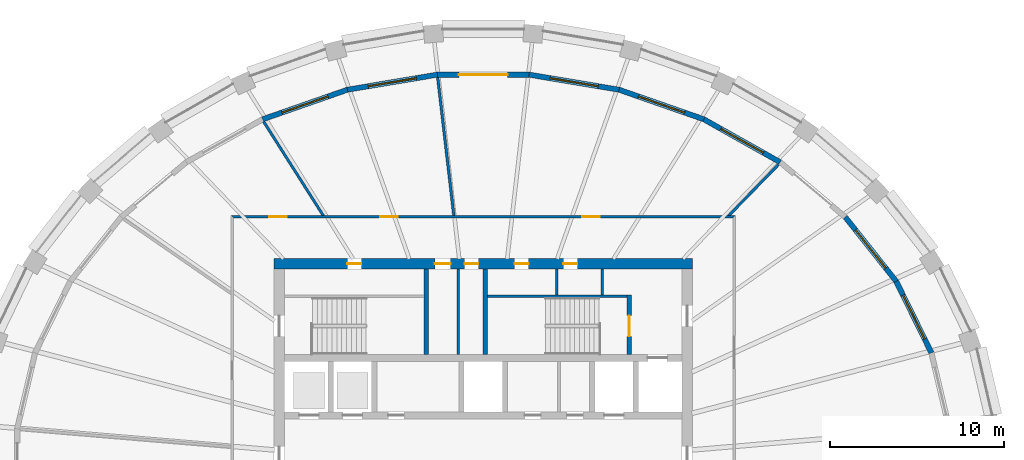
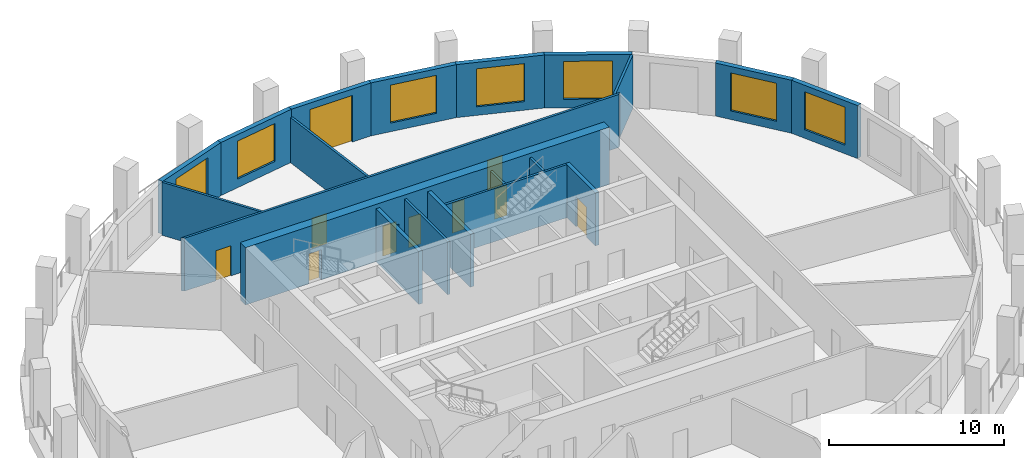
# One storey, part 6 of 10: 20 walls, 10 doors, 7 windows, 17 openings.
"""IFC4 building model written with IfcOpenShell, lengths in metres."""

from ifc_helpers import new_model, si_unit, direction, frame, frame_2d, origin, place, context, subcontext, project, spatial, polyline, rectangle, outline, extrude, material, layer, layer_set, type_object, element, fill, save


model = new_model("IFC4")

# Units and contexts
model_context = context("Model", 3, precision=1e-05, world=origin(), true_north=direction((0.0, 1.0)))
body_context = subcontext(model_context, "Body", "Model", "MODEL_VIEW")
ifc_project = project(units=[si_unit("LENGTHUNIT", "METRE"), si_unit("AREAUNIT", "SQUARE_METRE"), si_unit("VOLUMEUNIT", "CUBIC_METRE"), si_unit("PLANEANGLEUNIT", "RADIAN"), si_unit("MASSUNIT", "GRAM", prefix="KILO")], contexts=[model_context])

# Site, building, storey
site_placement = place(None, origin())
site = spatial("IfcSite", under=ifc_project, at=site_placement, CompositionType="ELEMENT")
building_placement = place(site_placement, origin())
building = spatial("IfcBuilding", under=site, at=building_placement, Name="Halqa Exchange Tower", CompositionType="ELEMENT")
storey_placement = place(building_placement, frame((0.0, 0.0, 288.300048828125)))
storey = spatial("IfcBuildingStorey", under=building, at=storey_placement, Name="L67", CompositionType="ELEMENT", Elevation=288.300048828125)

# Wall, openings, doors
ifc_material_1 = material(Name="Fire-rated gypsum board")
ifc_layer_1 = layer(ifc_material_1, 0.14990234375)
ifc_layer_set_1 = layer_set([ifc_layer_1], Name="Fire-rated gypsum board")
wall_type_1 = type_object("IfcWallType", Name="Fire partition EI 60 150", PredefinedType="PARTITIONING", material=ifc_layer_set_1)
wall_1_placement = place(storey_placement, frame((-14.47509765625, 14.39990234375, 0.0), z_axis=(0.0, 0.0, 1.0), x_axis=(1.0, 0.0, 0.0)))
wall_1 = element("IfcWall", 1, at=wall_1_placement, inside=storey, type_object=wall_type_1, Name="L67-PWL-006", PredefinedType="PARTITIONING", context=body_context, shape_type="SweptSolid", body=[
    extrude(outline(polyline([(0.150146484375, -0.074951171875), (2.06005859375, -0.074951171875), (3.97021484375, -0.074951171875), (5.880126953125, -0.074951171875), (7.7900390625, -0.074951171875), (9.7001953125, -0.074951171875), (11.610107421875, -0.074951171875), (13.52001953125, -0.074951171875), (15.43017578125, -0.074951171875), (17.340087890625, -0.074951171875), (19.25, -0.074951171875), (21.16015625, -0.074951171875), (23.070068359375, -0.074951171875), (24.97998046875, -0.074951171875), (26.89013671875, -0.074951171875), (28.800048828125, -0.074951171875), (28.949951171875, 0.074951171875), (27.02001953125, 0.074951171875), (25.090087890625, 0.074951171875), (23.159912109375, 0.074951171875), (21.22998046875, 0.074951171875), (19.300048828125, 0.074951171875), (17.3701171875, 0.074951171875), (15.440185546875, 0.074951171875), (13.510009765625, 0.074951171875), (11.580078125, 0.074951171875), (9.650146484375, 0.074951171875), (7.72021484375, 0.074951171875), (5.790283203125, 0.074951171875), (3.860107421875, 0.074951171875), (1.93017578125, 0.074951171875), (0.000244140625, 0.074951171875), (0.150146484375, -0.074951171875)])), origin(), (0.0, 0.0, 1.0), 3.699951171875),
])
opening_1_placement = place(wall_1_placement, frame((20.14990234375, 0.0, 0.0)))
opening_1 = element("IfcOpeningElement", 2, at=opening_1_placement, cuts=wall_1, Name="Opening 20-04", PredefinedType="OPENING", context=body_context, shape_type="SweptSolid", body=[
    extrude(rectangle(XDim=1.0, YDim=2.10009765625, at=frame_2d((0.5, 1.050048828125))), frame((0.0, 0.0869140625, 0.0), z_axis=(0.0, -1.0, 0.0), x_axis=(1.0, 0.0, 0.0)), (0.0, 0.0, 1.0), 0.173828125),
])
opening_2_placement = place(wall_1_placement, frame((8.56494140625, 0.0, 0.0)))
opening_2 = element("IfcOpeningElement", 3, at=opening_2_placement, cuts=wall_1, Name="Opening 20-05", PredefinedType="OPENING", context=body_context, shape_type="SweptSolid", body=[
    extrude(rectangle(XDim=1.0, YDim=2.10009765625, at=frame_2d((0.5, 1.050048828125))), frame((0.0, 0.0869140625, 0.0), z_axis=(0.0, -1.0, 0.0), x_axis=(1.0, 0.0, 0.0)), (0.0, 0.0, 1.0), 0.173828125),
])
opening_3_placement = place(wall_1_placement, frame((2.205078125, 0.0, 0.0)))
opening_3 = element("IfcOpeningElement", 4, at=opening_3_placement, cuts=wall_1, Name="Opening 20-06", PredefinedType="OPENING", context=body_context, shape_type="SweptSolid", body=[
    extrude(rectangle(XDim=1.0, YDim=2.10009765625, at=frame_2d((0.5, 1.050048828125))), frame((0.0, 0.0869140625, 0.0), z_axis=(0.0, -1.0, 0.0), x_axis=(1.0, 0.0, 0.0)), (0.0, 0.0, 1.0), 0.173828125),
])
ifc_material_2 = material(Name="Steel fire door leaf", Category="steel")
door_type_1 = type_object("IfcDoorType", Name="Fire door FD30S 1000 x 2100", OperationType="SINGLE_SWING_LEFT", PredefinedType="DOOR", material=ifc_material_2)
door_1_placement = place(opening_1_placement, origin())
door_1 = element("IfcDoor", 5, at=door_1_placement, inside=storey, type_object=door_type_1, Name="L67-IDR-004", OperationType="SINGLE_SWING_LEFT", OverallHeight=2.10009765625, OverallWidth=1.0, PredefinedType="DOOR", context=body_context, shape_type="SweptSolid", body=[
    extrude(rectangle(XDim=1.0, YDim=2.10009765625, at=frame_2d((0.5, 1.050048828125))), frame((0.0, 0.02490234375, 0.0), z_axis=(0.0, -1.0, 0.0), x_axis=(1.0, 0.0, 0.0)), (0.0, 0.0, 1.0), 0.050048828125),
])
fill(opening_1, door_1)
door_2_placement = place(opening_2_placement, origin())
door_2 = element("IfcDoor", 6, at=door_2_placement, inside=storey, type_object=door_type_1, Name="L67-IDR-005", OperationType="SINGLE_SWING_LEFT", OverallHeight=2.10009765625, OverallWidth=1.0, PredefinedType="DOOR", context=body_context, shape_type="SweptSolid", body=[
    extrude(rectangle(XDim=1.0, YDim=2.10009765625, at=frame_2d((0.5, 1.050048828125))), frame((0.0, 0.02490234375, 0.0), z_axis=(0.0, -1.0, 0.0), x_axis=(1.0, 0.0, 0.0)), (0.0, 0.0, 1.0), 0.050048828125),
])
fill(opening_2, door_2)
door_3_placement = place(opening_3_placement, origin())
door_3 = element("IfcDoor", 7, at=door_3_placement, inside=storey, type_object=door_type_1, Name="L67-IDR-006", OperationType="SINGLE_SWING_LEFT", OverallHeight=2.10009765625, OverallWidth=1.0, PredefinedType="DOOR", context=body_context, shape_type="SweptSolid", body=[
    extrude(rectangle(XDim=1.0, YDim=2.10009765625, at=frame_2d((0.5, 1.050048828125))), frame((0.0, 0.02490234375, 0.0), z_axis=(0.0, -1.0, 0.0), x_axis=(1.0, 0.0, 0.0)), (0.0, 0.0, 1.0), 0.050048828125),
])
fill(opening_3, door_3)

# Walls
wall_2_placement = place(storey_placement, frame((-9.162109375, 14.43505859375, 0.0), z_axis=(0.0, 0.0, 1.0), x_axis=(-0.536136809147, 0.844131104674, 0.0)))
element("IfcWall", 8, at=wall_2_placement, inside=storey, type_object=wall_type_1, Name="L67-PWL-007", PredefinedType="PARTITIONING", context=body_context, shape_type="SweptSolid", body=[
    extrude(outline(polyline([(0.0, -0.074951171875), (1.59912109375, -0.074951171875), (3.198486328125, -0.074951171875), (4.797607421875, -0.074951171875), (6.396728515625, -0.074951171875), (6.413818359375, -0.00244140625), (6.41748046875, 0.06640625), (6.41748046875, 0.074951171875), (4.8369140625, 0.074951171875), (3.256103515625, 0.074951171875), (1.675537109375, 0.074951171875), (0.094970703125, 0.074951171875), (0.0, -0.074462890625), (0.0, -0.074951171875)])), origin(), (0.0, 0.0, 1.0), 3.699951171875),
])
wall_3_placement = place(storey_placement, frame((-1.687744140625, 14.466552734375, 0.0), z_axis=(0.0, 0.0, 1.0), x_axis=(-0.116071250105, 0.993240889663, 0.0)))
element("IfcWall", 9, at=wall_3_placement, inside=storey, type_object=wall_type_1, Name="L67-PWL-009", PredefinedType="PARTITIONING", context=body_context, shape_type="SweptSolid", body=[
    extrude(outline(polyline([(0.0, -0.074951171875), (1.99462890625, -0.074951171875), (3.9892578125, -0.074951171875), (5.98388671875, -0.074951171875), (7.978515625, -0.074951171875), (7.984375, -0.025390625), (7.984375, 0.074951171875), (5.99267578125, 0.074951171875), (4.000732421875, 0.074951171875), (2.009033203125, 0.074951171875), (0.017333984375, 0.074951171875), (0.0, -0.07275390625), (0.0, -0.074951171875)])), origin(), (0.0, 0.0, 1.0), 3.14990234375),
])
wall_4_placement = place(storey_placement, frame((14.05224609375, 14.4228515625, 0.0), z_axis=(0.0, 0.0, 1.0), x_axis=(0.698170464683, 0.715931562542, 0.0)))
element("IfcWall", 10, at=wall_4_placement, inside=storey, type_object=wall_type_1, Name="L67-PWL-011", PredefinedType="PARTITIONING", context=body_context, shape_type="SweptSolid", body=[
    extrude(outline(polyline([(4.137451171875, -0.074951171875), (4.137451171875, 0.074951171875), (4.137451171875, 0.074951171875), (2.75830078125, 0.074951171875), (1.379150390625, 0.074951171875), (0.0, 0.074951171875), (0.0, 0.07470703125), (0.14599609375, -0.074951171875), (2.1416015625, -0.074951171875), (4.137451171875, -0.074951171875)])), origin(), (0.0, 0.0, 1.0), 3.699951171875),
])
ifc_material_3 = material(Name="Gypsum board")
ifc_layer_2 = layer(ifc_material_3, 0.14990234375)
ifc_layer_set_2 = layer_set([ifc_layer_2], Name="Gypsum board")
wall_type_2 = type_object("IfcWallType", Name="Penthouse riser wall 150 gypsum", PredefinedType="PARTITIONING", material=ifc_layer_set_2)
wall_5_placement = place(storey_placement, frame((-1.425048828125, 6.5, 0.0), z_axis=(0.0, 0.0, 1.0), x_axis=(0.0, 1.0, 0.0)))
element("IfcWall", 11, at=wall_5_placement, inside=storey, type_object=wall_type_2, Name="Partition W1.425 N", PredefinedType="PARTITIONING", context=body_context, shape_type="SweptSolid", body=[
    extrude(rectangle(XDim=4.89990234375, YDim=0.14990234375, at=frame_2d((2.449951171875, 0.0))), origin(), (0.0, 0.0, 1.0), 3.699951171875),
])
for number, where, z_axis, x_axis, name in (
    (12, (4.22509765625, 9.89990234375, 0.0), (0.0, 0.0, 1.0), (0.0, 1.0, 0.0), "Partition E4.225 N"),
    (13, (6.824951171875, 9.89990234375, 0.0), (0.0, 0.0, 1.0), (0.0, 1.0, 0.0), "Firefighting lobby west wall N"),
):
    element("IfcWall", number, at=place(storey_placement, frame(where, z_axis=z_axis, x_axis=x_axis)), inside=storey, type_object=wall_type_2, Name=name, PredefinedType="PARTITIONING", context=body_context, shape_type="SweptSolid", body=[
        extrude(rectangle(XDim=1.5, YDim=0.14990234375, at=frame_2d((0.75, 0.0))), origin(), (0.0, 0.0, 1.0), 3.699951171875),
    ])

# Wall, openings, doors
ifc_material_4 = material(Name="Concrete C60/75", Category="concrete")
ifc_layer_3 = layer(ifc_material_4, 0.60009765625)
ifc_layer_set_3 = layer_set([ifc_layer_3], Name="Concrete C60/75")
wall_type_3 = type_object("IfcWallType", Name="RC core wall 600 C60/75", PredefinedType="SHEAR", material=ifc_layer_set_3)
wall_6_placement = place(storey_placement, frame((-12.0, 11.699951171875, 0.0), z_axis=(0.0, 0.0, 1.0), x_axis=(1.0, 0.0, 0.0)))
wall_6 = element("IfcWall", 14, at=wall_6_placement, inside=storey, type_object=wall_type_3, Name="Core wall north", PredefinedType="SHEAR", context=body_context, shape_type="SweptSolid", body=[
    extrude(rectangle(XDim=24.0, YDim=0.60009765625, at=frame_2d((12.0, 0.0))), origin(), (0.0, 0.0, 1.0), 4.0),
])
opening_4_placement = place(wall_6_placement, frame((9.22509765625, 0.0, 0.0)))
opening_4 = element("IfcOpeningElement", 15, at=opening_4_placement, cuts=wall_6, Name="Opening T20-C17", PredefinedType="OPENING", context=body_context, shape_type="SweptSolid", body=[
    extrude(rectangle(XDim=0.89990234375, YDim=2.10009765625, at=frame_2d((0.449951171875, 1.050048828125))), frame((0.0, 0.31201171875, 0.0), z_axis=(0.0, -1.0, 0.0), x_axis=(1.0, 0.0, 0.0)), (0.0, 0.0, 1.0), 0.6240234375),
])
opening_5_placement = place(wall_6_placement, frame((10.925048828125, 0.0, 0.0)))
opening_5 = element("IfcOpeningElement", 16, at=opening_5_placement, cuts=wall_6, Name="Opening T20-C18", PredefinedType="OPENING", context=body_context, shape_type="SweptSolid", body=[
    extrude(rectangle(XDim=0.800048828125, YDim=2.10009765625, at=frame_2d((0.39990234375, 1.050048828125))), frame((0.0, 0.31201171875, 0.0), z_axis=(0.0, -1.0, 0.0), x_axis=(1.0, 0.0, 0.0)), (0.0, 0.0, 1.0), 0.6240234375),
])
opening_6_placement = place(wall_6_placement, frame((4.199951171875, 0.0, 0.0)))
opening_6 = element("IfcOpeningElement", 17, at=opening_6_placement, cuts=wall_6, Name="Opening T20-C19", PredefinedType="OPENING", context=body_context, shape_type="SweptSolid", body=[
    extrude(rectangle(XDim=0.800048828125, YDim=2.10009765625, at=frame_2d((0.39990234375, 1.050048828125))), frame((0.0, 0.31201171875, 0.0), z_axis=(0.0, -1.0, 0.0), x_axis=(1.0, 0.0, 0.0)), (0.0, 0.0, 1.0), 0.6240234375),
])
opening_7_placement = place(wall_6_placement, frame((13.800048828125, 0.0, 0.0)))
opening_7 = element("IfcOpeningElement", 18, at=opening_7_placement, cuts=wall_6, Name="Opening T20-C20", PredefinedType="OPENING", context=body_context, shape_type="SweptSolid", body=[
    extrude(rectangle(XDim=0.800048828125, YDim=2.10009765625, at=frame_2d((0.39990234375, 1.050048828125))), frame((0.0, 0.31201171875, 0.0), z_axis=(0.0, -1.0, 0.0), x_axis=(1.0, 0.0, 0.0)), (0.0, 0.0, 1.0), 0.6240234375),
])
opening_8_placement = place(wall_6_placement, frame((16.60009765625, 0.0, 0.0)))
opening_8 = element("IfcOpeningElement", 19, at=opening_8_placement, cuts=wall_6, Name="Opening T20-C21", PredefinedType="OPENING", context=body_context, shape_type="SweptSolid", body=[
    extrude(rectangle(XDim=0.800048828125, YDim=2.10009765625, at=frame_2d((0.39990234375, 1.050048828125))), frame((0.0, 0.31201171875, 0.0), z_axis=(0.0, -1.0, 0.0), x_axis=(1.0, 0.0, 0.0)), (0.0, 0.0, 1.0), 0.6240234375),
])
ifc_material_5 = material(Name="Timber fire door leaf", Category="wood")
door_type_2 = type_object("IfcDoorType", Name="Core room door FD30 900 x 2100", OperationType="SINGLE_SWING_LEFT", PredefinedType="DOOR", material=ifc_material_5)
door_4_placement = place(opening_4_placement, frame((0.89990234375, 0.0, 0.0), z_axis=(0.0, 0.0, 1.0), x_axis=(-1.0, 0.0, 0.0)))
door_4 = element("IfcDoor", 20, at=door_4_placement, inside=storey, type_object=door_type_2, Name="Core room door", OperationType="SINGLE_SWING_RIGHT", OverallHeight=2.10009765625, OverallWidth=0.89990234375, PredefinedType="DOOR", context=body_context, shape_type="SweptSolid", body=[
    extrude(rectangle(XDim=0.89990234375, YDim=2.10009765625, at=frame_2d((0.449951171875, 1.050048828125))), frame((0.0, 0.02490234375, 0.0), z_axis=(0.0, -1.0, 0.0), x_axis=(1.0, 0.0, 0.0)), (0.0, 0.0, 1.0), 0.050048828125),
])
fill(opening_4, door_4)
door_type_3 = type_object("IfcDoorType", Name="Riser door FD60 800 x 2100", OperationType="SINGLE_SWING_LEFT", PredefinedType="DOOR", material=ifc_material_2)
door_5_placement = place(opening_5_placement, frame((0.800048828125, 0.0, 0.0), z_axis=(0.0, 0.0, 1.0), x_axis=(-1.0, 0.0, 0.0)))
door_5 = element("IfcDoor", 21, at=door_5_placement, inside=storey, type_object=door_type_3, Name="Core room door", OperationType="SINGLE_SWING_LEFT", OverallHeight=2.10009765625, OverallWidth=0.800048828125, PredefinedType="DOOR", context=body_context, shape_type="SweptSolid", body=[
    extrude(rectangle(XDim=0.800048828125, YDim=2.10009765625, at=frame_2d((0.39990234375, 1.050048828125))), frame((0.0, 0.02490234375, 0.0), z_axis=(0.0, -1.0, 0.0), x_axis=(1.0, 0.0, 0.0)), (0.0, 0.0, 1.0), 0.050048828125),
])
fill(opening_5, door_5)
door_6_placement = place(opening_6_placement, frame((0.800048828125, 0.0, 0.0), z_axis=(0.0, 0.0, 1.0), x_axis=(-1.0, 0.0, 0.0)))
door_6 = element("IfcDoor", 22, at=door_6_placement, inside=storey, type_object=door_type_3, Name="Core room door", OperationType="SINGLE_SWING_LEFT", OverallHeight=2.10009765625, OverallWidth=0.800048828125, PredefinedType="DOOR", context=body_context, shape_type="SweptSolid", body=[
    extrude(rectangle(XDim=0.800048828125, YDim=2.10009765625, at=frame_2d((0.39990234375, 1.050048828125))), frame((0.0, 0.02490234375, 0.0), z_axis=(0.0, -1.0, 0.0), x_axis=(1.0, 0.0, 0.0)), (0.0, 0.0, 1.0), 0.050048828125),
])
fill(opening_6, door_6)
door_7_placement = place(opening_7_placement, frame((0.800048828125, 0.0, 0.0), z_axis=(0.0, 0.0, 1.0), x_axis=(-1.0, 0.0, 0.0)))
door_7 = element("IfcDoor", 23, at=door_7_placement, inside=storey, type_object=door_type_3, Name="Core room door", OperationType="SINGLE_SWING_RIGHT", OverallHeight=2.10009765625, OverallWidth=0.800048828125, PredefinedType="DOOR", context=body_context, shape_type="SweptSolid", body=[
    extrude(rectangle(XDim=0.800048828125, YDim=2.10009765625, at=frame_2d((0.39990234375, 1.050048828125))), frame((0.0, 0.02490234375, 0.0), z_axis=(0.0, -1.0, 0.0), x_axis=(1.0, 0.0, 0.0)), (0.0, 0.0, 1.0), 0.050048828125),
])
fill(opening_7, door_7)
door_8_placement = place(opening_8_placement, frame((0.800048828125, 0.0, 0.0), z_axis=(0.0, 0.0, 1.0), x_axis=(-1.0, 0.0, 0.0)))
door_8 = element("IfcDoor", 24, at=door_8_placement, inside=storey, type_object=door_type_3, Name="Core room door", OperationType="SINGLE_SWING_LEFT", OverallHeight=2.10009765625, OverallWidth=0.800048828125, PredefinedType="DOOR", context=body_context, shape_type="SweptSolid", body=[
    extrude(rectangle(XDim=0.800048828125, YDim=2.10009765625, at=frame_2d((0.39990234375, 1.050048828125))), frame((0.0, 0.02490234375, 0.0), z_axis=(0.0, -1.0, 0.0), x_axis=(1.0, 0.0, 0.0)), (0.0, 0.0, 1.0), 0.050048828125),
])
fill(opening_8, door_8)

# Walls
ifc_material_6 = material(Name="Concrete C30/37", Category="concrete")
ifc_layer_4 = layer(ifc_material_6, 0.14990234375)
ifc_layer_set_4 = layer_set([ifc_layer_4], Name="Concrete C30/37")
wall_type_4 = type_object("IfcWallType", Name="RC stair wall 150 C30/37", PredefinedType="SHEAR", material=ifc_layer_set_4)
wall_7_placement = place(storey_placement, frame((0.25, 9.824951171875, 0.0), z_axis=(0.0, 0.0, 1.0), x_axis=(1.0, 0.0, 0.0)))
element("IfcWall", 25, at=wall_7_placement, inside=storey, type_object=wall_type_4, Name="Stair ST2 north wall N", PredefinedType="SHEAR", context=body_context, shape_type="SweptSolid", body=[
    extrude(rectangle(XDim=8.0, YDim=0.14990234375, at=frame_2d((4.0, 0.0))), origin(), (0.0, 0.0, 1.0), 3.699951171875),
])
ifc_layer_5 = layer(ifc_material_6, 0.25)
ifc_layer_set_5 = layer_set([ifc_layer_5], Name="Concrete C30/37")
wall_type_5 = type_object("IfcWallType", Name="RC stair wall 250 C30/37", PredefinedType="SHEAR", material=ifc_layer_set_5)
for number, where, z_axis, x_axis, name in (
    (26, (-3.27490234375, 6.5, 0.0), (0.0, 0.0, 1.0), (0.0, 1.0, 0.0), "Stair ST1 east wall N"),
    (27, (0.125, 6.5, 0.0), (0.0, 0.0, 1.0), (0.0, 1.0, 0.0), "Stair ST2 west wall N"),
):
    element("IfcWall", number, at=place(storey_placement, frame(where, z_axis=z_axis, x_axis=x_axis)), inside=storey, type_object=wall_type_5, Name=name, PredefinedType="SHEAR", context=body_context, shape_type="SweptSolid", body=[
        extrude(rectangle(XDim=4.89990234375, YDim=0.25, at=frame_2d((2.449951171875, 0.0))), origin(), (0.0, 0.0, 1.0), 3.699951171875),
    ])

# Wall, opening, door
wall_8_placement = place(storey_placement, frame((8.375, 6.5, 0.0), z_axis=(0.0, 0.0, 1.0), x_axis=(0.0, 1.0, 0.0)))
wall_8 = element("IfcWall", 28, at=wall_8_placement, inside=storey, type_object=wall_type_5, Name="Stair ST2 east wall N", PredefinedType="SHEAR", context=body_context, shape_type="SweptSolid", body=[
    extrude(rectangle(XDim=3.39990234375, YDim=0.25, at=frame_2d((1.699951171875, 0.0))), origin(), (0.0, 0.0, 1.0), 3.699951171875),
])
opening_9_placement = place(wall_8_placement, frame((1.02490234375, 0.0, 0.0)))
opening_9 = element("IfcOpeningElement", 29, at=opening_9_placement, cuts=wall_8, Name="Opening T20-C12", PredefinedType="OPENING", context=body_context, shape_type="SweptSolid", body=[
    extrude(rectangle(XDim=1.199951171875, YDim=2.10009765625, at=frame_2d((0.60009765625, 1.050048828125))), frame((0.0, 0.136962890625, 0.0), z_axis=(0.0, -1.0, 0.0), x_axis=(1.0, 0.0, 0.0)), (0.0, 0.0, 1.0), 0.27392578125),
])
door_type_4 = type_object("IfcDoorType", Name="Stair door FD90 1200 x 2100", OperationType="SINGLE_SWING_LEFT", PredefinedType="DOOR", material=ifc_material_2)
door_9_placement = place(opening_9_placement, origin())
door_9 = element("IfcDoor", 30, at=door_9_placement, inside=storey, type_object=door_type_4, Name="Stair door ST2", OperationType="SINGLE_SWING_RIGHT", OverallHeight=2.10009765625, OverallWidth=1.199951171875, PredefinedType="DOOR", context=body_context, shape_type="SweptSolid", body=[
    extrude(rectangle(XDim=1.199951171875, YDim=2.10009765625, at=frame_2d((0.60009765625, 1.050048828125))), frame((0.0, 0.02490234375, 0.0), z_axis=(0.0, -1.0, 0.0), x_axis=(1.0, 0.0, 0.0)), (0.0, 0.0, 1.0), 0.050048828125),
])
fill(opening_9, door_9)

# Wall, opening, window
ifc_material_7 = material(Name="Limestone cladding", Category="masonry")
ifc_layer_6 = layer(ifc_material_7, 0.0400390625)
ifc_material_8 = material(Name="Ventilated cavity")
ifc_layer_7 = layer(ifc_material_8, 0.030029296875, ventilated=True)
ifc_material_9 = material(Name="Mineral wool insulation")
ifc_layer_8 = layer(ifc_material_9, 0.10009765625)
ifc_layer_9 = layer(ifc_material_6, 0.10009765625)
ifc_material_10 = material(Name="Internal plaster")
ifc_layer_10 = layer(ifc_material_10, 0.030029296875)
ifc_layer_set_6 = layer_set([ifc_layer_6, ifc_layer_7, ifc_layer_8, ifc_layer_9, ifc_layer_10], Name="Stone-faced insulated wall 300")
wall_type_6 = type_object("IfcWallType", Name="Stone-faced insulated wall 300", PredefinedType="STANDARD", material=ifc_layer_set_6)
wall_9_placement = place(storey_placement, frame((25.717529296875, 6.584716796875, 0.0), z_axis=(0.0, 0.0, 1.0), x_axis=(-0.441335149795, 0.897342345794, 0.0)))
wall_9 = element("IfcWall", 31, at=wall_9_placement, inside=storey, type_object=wall_type_6, Name="Glass-line wall 2", PredefinedType="STANDARD", context=body_context, shape_type="SweptSolid", body=[
    extrude(outline(polyline([(-0.016845703125, -0.14990234375), (4.592041015625, -0.14990234375), (4.559814453125, 0.14990234375), (0.016845703125, 0.14990234375), (-0.016845703125, -0.14990234375)])), origin(), (0.0, 0.0, 1.0), 3.699951171875),
])
opening_10_placement = place(wall_9_placement, frame((0.887939453125, 0.0, 0.60009765625)))
opening_10 = element("IfcOpeningElement", 32, at=opening_10_placement, cuts=wall_9, Name="Opening W-F4-02", PredefinedType="OPENING", context=body_context, shape_type="SweptSolid", body=[
    extrude(rectangle(XDim=2.800048828125, YDim=2.64990234375, at=frame_2d((1.39990234375, 1.324951171875))), frame((0.0, 0.162109375, 0.0), z_axis=(0.0, -1.0, 0.0), x_axis=(1.0, 0.0, 0.0)), (0.0, 0.0, 1.0), 0.323974609375),
])
ifc_material_11 = material(Name="Clear low-emissivity glass in aluminium frame", Category="aluminium")
window_type = type_object("IfcWindowType", Name="Fixed clear glazed window 2800 x 2650", PartitioningType="DOUBLE_PANEL_VERTICAL", PredefinedType="WINDOW", material=ifc_material_11)
window_1_placement = place(opening_10_placement, origin())
window_1 = element("IfcWindow", 33, at=window_1_placement, inside=storey, type_object=window_type, Name="Window 4", OverallHeight=2.64990234375, OverallWidth=2.800048828125, PartitioningType="DOUBLE_PANEL_VERTICAL", PredefinedType="WINDOW", context=body_context, shape_type="SweptSolid", body=[
    extrude(rectangle(XDim=2.800048828125, YDim=2.64990234375, at=frame_2d((1.39990234375, 1.324951171875))), frame((0.0, 0.030029296875, 0.0), z_axis=(0.0, -1.0, 0.0), x_axis=(1.0, 0.0, 0.0)), (0.0, 0.0, 1.0), 0.06005859375),
])
fill(opening_10, window_1)

wall_10_placement = place(storey_placement, frame((23.697998046875, 10.69091796875, 0.0), z_axis=(0.0, 0.0, 1.0), x_axis=(-0.621544881236, 0.783378555112, 0.0)))
wall_10 = element("IfcWall", 34, at=wall_10_placement, inside=storey, type_object=wall_type_6, Name="Glass-line wall 3", PredefinedType="STANDARD", context=body_context, shape_type="SweptSolid", body=[
    extrude(outline(polyline([(-0.01611328125, -0.14990234375), (4.7294921875, -0.14990234375), (4.69921875, 0.14990234375), (0.01611328125, 0.14990234375), (-0.01611328125, -0.14990234375)])), origin(), (0.0, 0.0, 1.0), 3.699951171875),
])
opening_11_placement = place(wall_10_placement, frame((0.957275390625, 0.0, 0.60009765625)))
opening_11 = element("IfcOpeningElement", 35, at=opening_11_placement, cuts=wall_10, Name="Opening W-F4-03", PredefinedType="OPENING", context=body_context, shape_type="SweptSolid", body=[
    extrude(rectangle(XDim=2.800048828125, YDim=2.64990234375, at=frame_2d((1.39990234375, 1.324951171875))), frame((0.0, 0.162109375, 0.0), z_axis=(0.0, -1.0, 0.0), x_axis=(1.0, 0.0, 0.0)), (0.0, 0.0, 1.0), 0.323974609375),
])
window_2_placement = place(opening_11_placement, origin())
window_2 = element("IfcWindow", 36, at=window_2_placement, inside=storey, type_object=window_type, Name="Window 4", OverallHeight=2.64990234375, OverallWidth=2.800048828125, PartitioningType="DOUBLE_PANEL_VERTICAL", PredefinedType="WINDOW", context=body_context, shape_type="SweptSolid", body=[
    extrude(rectangle(XDim=2.800048828125, YDim=2.64990234375, at=frame_2d((1.39990234375, 1.324951171875))), frame((0.0, 0.030029296875, 0.0), z_axis=(0.0, -1.0, 0.0), x_axis=(1.0, 0.0, 0.0)), (0.0, 0.0, 1.0), 0.06005859375),
])
fill(opening_11, window_2)

wall_11_placement = place(storey_placement, frame((17.040771484375, 17.52294921875, 0.0), z_axis=(0.0, 0.0, 1.0), x_axis=(-0.871488606878, 0.490415750239, 0.0)))
wall_11 = element("IfcWall", 37, at=wall_11_placement, inside=storey, type_object=wall_type_6, Name="Glass-line wall 5", PredefinedType="STANDARD", context=body_context, shape_type="SweptSolid", body=[
    extrude(outline(polyline([(-0.01416015625, -0.14990234375), (5.039306640625, -0.14990234375), (5.012939453125, 0.14990234375), (0.01416015625, 0.14990234375), (-0.01416015625, -0.14990234375)])), origin(), (0.0, 0.0, 1.0), 3.699951171875),
])
opening_12_placement = place(wall_11_placement, frame((1.113037109375, 0.0, 0.60009765625)))
opening_12 = element("IfcOpeningElement", 38, at=opening_12_placement, cuts=wall_11, Name="Opening W-F4-05", PredefinedType="OPENING", context=body_context, shape_type="SweptSolid", body=[
    extrude(rectangle(XDim=2.800048828125, YDim=2.64990234375, at=frame_2d((1.39990234375, 1.324951171875))), frame((0.0, 0.162109375, 0.0), z_axis=(0.0, -1.0, 0.0), x_axis=(1.0, 0.0, 0.0)), (0.0, 0.0, 1.0), 0.323974609375),
])
window_3_placement = place(opening_12_placement, origin())
window_3 = element("IfcWindow", 39, at=window_3_placement, inside=storey, type_object=window_type, Name="Window 4", OverallHeight=2.64990234375, OverallWidth=2.800048828125, PartitioningType="DOUBLE_PANEL_VERTICAL", PredefinedType="WINDOW", context=body_context, shape_type="SweptSolid", body=[
    extrude(rectangle(XDim=2.800048828125, YDim=2.64990234375, at=frame_2d((1.39990234375, 1.324951171875))), frame((0.0, 0.030029296875, 0.0), z_axis=(0.0, -1.0, 0.0), x_axis=(1.0, 0.0, 0.0)), (0.0, 0.0, 1.0), 0.06005859375),
])
fill(opening_12, window_3)

wall_12_placement = place(storey_placement, frame((12.66064453125, 19.98779296875, 0.0), z_axis=(0.0, 0.0, 1.0), x_axis=(-0.944204293701, 0.329360367617, 0.0)))
wall_12 = element("IfcWall", 40, at=wall_12_placement, inside=storey, type_object=wall_type_6, Name="Glass-line wall 6", PredefinedType="STANDARD", context=body_context, shape_type="SweptSolid", body=[
    extrude(outline(polyline([(-0.01318359375, -0.14990234375), (5.165283203125, -0.14990234375), (5.139892578125, 0.14990234375), (0.01318359375, 0.14990234375), (-0.01318359375, -0.14990234375)])), origin(), (0.0, 0.0, 1.0), 3.699951171875),
])
opening_13_placement = place(wall_12_placement, frame((1.17626953125, 0.0, 0.60009765625)))
opening_13 = element("IfcOpeningElement", 41, at=opening_13_placement, cuts=wall_12, Name="Opening W-F4-06", PredefinedType="OPENING", context=body_context, shape_type="SweptSolid", body=[
    extrude(rectangle(XDim=2.800048828125, YDim=2.64990234375, at=frame_2d((1.39990234375, 1.324951171875))), frame((0.0, 0.162109375, 0.0), z_axis=(0.0, -1.0, 0.0), x_axis=(1.0, 0.0, 0.0)), (0.0, 0.0, 1.0), 0.323974609375),
])
window_4_placement = place(opening_13_placement, origin())
window_4 = element("IfcWindow", 42, at=window_4_placement, inside=storey, type_object=window_type, Name="Window 4", OverallHeight=2.64990234375, OverallWidth=2.800048828125, PartitioningType="DOUBLE_PANEL_VERTICAL", PredefinedType="WINDOW", context=body_context, shape_type="SweptSolid", body=[
    extrude(rectangle(XDim=2.800048828125, YDim=2.64990234375, at=frame_2d((1.39990234375, 1.324951171875))), frame((0.0, 0.030029296875, 0.0), z_axis=(0.0, -1.0, 0.0), x_axis=(1.0, 0.0, 0.0)), (0.0, 0.0, 1.0), 0.06005859375),
])
fill(opening_13, window_4)

wall_13_placement = place(storey_placement, frame((7.795654296875, 21.684814453125, 0.0), z_axis=(0.0, 0.0, 1.0), x_axis=(-0.986257472007, 0.165215613396, 0.0)))
wall_13 = element("IfcWall", 43, at=wall_13_placement, inside=storey, type_object=wall_type_6, Name="Glass-line wall 7", PredefinedType="STANDARD", context=body_context, shape_type="SweptSolid", body=[
    extrude(outline(polyline([(-0.0126953125, -0.14990234375), (5.248046875, -0.14990234375), (5.22314453125, 0.14990234375), (0.0126953125, 0.14990234375), (-0.0126953125, -0.14990234375)])), origin(), (0.0, 0.0, 1.0), 3.699951171875),
])
opening_14_placement = place(wall_13_placement, frame((1.2177734375, 0.0, 0.60009765625)))
opening_14 = element("IfcOpeningElement", 44, at=opening_14_placement, cuts=wall_13, Name="Opening W-F4-07", PredefinedType="OPENING", context=body_context, shape_type="SweptSolid", body=[
    extrude(rectangle(XDim=2.800048828125, YDim=2.64990234375, at=frame_2d((1.39990234375, 1.324951171875))), frame((0.0, 0.162109375, 0.0), z_axis=(0.0, -1.0, 0.0), x_axis=(1.0, 0.0, 0.0)), (0.0, 0.0, 1.0), 0.323974609375),
])
window_5_placement = place(opening_14_placement, origin())
window_5 = element("IfcWindow", 45, at=window_5_placement, inside=storey, type_object=window_type, Name="Window 4", OverallHeight=2.64990234375, OverallWidth=2.800048828125, PartitioningType="DOUBLE_PANEL_VERTICAL", PredefinedType="WINDOW", context=body_context, shape_type="SweptSolid", body=[
    extrude(rectangle(XDim=2.800048828125, YDim=2.64990234375, at=frame_2d((1.39990234375, 1.324951171875))), frame((0.0, 0.030029296875, 0.0), z_axis=(0.0, -1.0, 0.0), x_axis=(1.0, 0.0, 0.0)), (0.0, 0.0, 1.0), 0.06005859375),
])
fill(opening_14, window_5)

# Wall, opening, door
wall_14_placement = place(storey_placement, frame((2.632080078125, 22.5498046875, 0.0), z_axis=(0.0, 0.0, 1.0), x_axis=(-1.0, 0.0, 0.0)))
wall_14 = element("IfcWall", 46, at=wall_14_placement, inside=storey, type_object=wall_type_6, Name="Glass-line wall 8", PredefinedType="STANDARD", context=body_context, shape_type="SweptSolid", body=[
    extrude(outline(polyline([(-0.012451171875, -0.14990234375), (5.276611328125, -0.14990234375), (5.251708984375, 0.14990234375), (0.012451171875, 0.14990234375), (-0.012451171875, -0.14990234375)])), origin(), (0.0, 0.0, 1.0), 3.699951171875),
])
opening_15_placement = place(wall_14_placement, frame((1.232177734375, 0.0, 0.0)))
opening_15 = element("IfcOpeningElement", 47, at=opening_15_placement, cuts=wall_14, Name="Opening LG-F4-02", PredefinedType="OPENING", context=body_context, shape_type="SweptSolid", body=[
    extrude(rectangle(XDim=2.800048828125, YDim=3.25, at=frame_2d((1.39990234375, 1.625))), frame((0.0, 0.162109375, 0.0), z_axis=(0.0, -1.0, 0.0), x_axis=(1.0, 0.0, 0.0)), (0.0, 0.0, 1.0), 0.323974609375),
])
door_type_5 = type_object("IfcDoorType", Name="Glazed sliding loggia door 2800 x 3250", OperationType="DOUBLE_DOOR_SLIDING", PredefinedType="DOOR", material=ifc_material_11)
door_10_placement = place(opening_15_placement, origin())
door_10 = element("IfcDoor", 48, at=door_10_placement, inside=storey, type_object=door_type_5, Name="Loggia door 2", OperationType="DOUBLE_DOOR_SLIDING", OverallHeight=3.25, OverallWidth=2.800048828125, PredefinedType="DOOR", context=body_context, shape_type="SweptSolid", body=[
    extrude(rectangle(XDim=2.800048828125, YDim=3.25, at=frame_2d((1.39990234375, 1.625))), frame((0.0, 0.02490234375, 0.0), z_axis=(0.0, -1.0, 0.0), x_axis=(1.0, 0.0, 0.0)), (0.0, 0.0, 1.0), 0.050048828125),
])
fill(opening_15, door_10)

# Wall, opening, window
wall_15_placement = place(storey_placement, frame((-2.632080078125, 22.5498046875, 0.0), z_axis=(0.0, 0.0, 1.0), x_axis=(-0.986257472007, -0.165215613396, 0.0)))
wall_15 = element("IfcWall", 49, at=wall_15_placement, inside=storey, type_object=wall_type_6, Name="Glass-line wall 9", PredefinedType="STANDARD", context=body_context, shape_type="SweptSolid", body=[
    extrude(outline(polyline([(-0.012451171875, -0.14990234375), (5.248291015625, -0.14990234375), (5.222900390625, 0.14990234375), (0.012451171875, 0.14990234375), (-0.012451171875, -0.14990234375)])), origin(), (0.0, 0.0, 1.0), 3.699951171875),
])
opening_16_placement = place(wall_15_placement, frame((1.2177734375, 0.0, 0.60009765625)))
opening_16 = element("IfcOpeningElement", 50, at=opening_16_placement, cuts=wall_15, Name="Opening W-F4-09", PredefinedType="OPENING", context=body_context, shape_type="SweptSolid", body=[
    extrude(rectangle(XDim=2.800048828125, YDim=2.64990234375, at=frame_2d((1.39990234375, 1.324951171875))), frame((0.0, 0.162109375, 0.0), z_axis=(0.0, -1.0, 0.0), x_axis=(1.0, 0.0, 0.0)), (0.0, 0.0, 1.0), 0.323974609375),
])
window_6_placement = place(opening_16_placement, origin())
window_6 = element("IfcWindow", 51, at=window_6_placement, inside=storey, type_object=window_type, Name="Window 4", OverallHeight=2.64990234375, OverallWidth=2.800048828125, PartitioningType="DOUBLE_PANEL_VERTICAL", PredefinedType="WINDOW", context=body_context, shape_type="SweptSolid", body=[
    extrude(rectangle(XDim=2.800048828125, YDim=2.64990234375, at=frame_2d((1.39990234375, 1.324951171875))), frame((0.0, 0.030029296875, 0.0), z_axis=(0.0, -1.0, 0.0), x_axis=(1.0, 0.0, 0.0)), (0.0, 0.0, 1.0), 0.06005859375),
])
fill(opening_16, window_6)

wall_16_placement = place(storey_placement, frame((-7.795654296875, 21.684814453125, 0.0), z_axis=(0.0, 0.0, 1.0), x_axis=(-0.944204293701, -0.329360367617, 0.0)))
wall_16 = element("IfcWall", 52, at=wall_16_placement, inside=storey, type_object=wall_type_6, Name="Glass-line wall 10", PredefinedType="STANDARD", context=body_context, shape_type="SweptSolid", body=[
    extrude(outline(polyline([(-0.0126953125, -0.14990234375), (5.165771484375, -0.14990234375), (5.139404296875, 0.14990234375), (0.0126953125, 0.14990234375), (-0.0126953125, -0.14990234375)])), origin(), (0.0, 0.0, 1.0), 3.699951171875),
])
opening_17_placement = place(wall_16_placement, frame((1.17626953125, 0.0, 0.60009765625)))
opening_17 = element("IfcOpeningElement", 53, at=opening_17_placement, cuts=wall_16, Name="Opening W-F4-10", PredefinedType="OPENING", context=body_context, shape_type="SweptSolid", body=[
    extrude(rectangle(XDim=2.800048828125, YDim=2.64990234375, at=frame_2d((1.39990234375, 1.324951171875))), frame((0.0, 0.162109375, 0.0), z_axis=(0.0, -1.0, 0.0), x_axis=(1.0, 0.0, 0.0)), (0.0, 0.0, 1.0), 0.323974609375),
])
window_7_placement = place(opening_17_placement, origin())
window_7 = element("IfcWindow", 54, at=window_7_placement, inside=storey, type_object=window_type, Name="Window 4", OverallHeight=2.64990234375, OverallWidth=2.800048828125, PartitioningType="DOUBLE_PANEL_VERTICAL", PredefinedType="WINDOW", context=body_context, shape_type="SweptSolid", body=[
    extrude(rectangle(XDim=2.800048828125, YDim=2.64990234375, at=frame_2d((1.39990234375, 1.324951171875))), frame((0.0, 0.030029296875, 0.0), z_axis=(0.0, -1.0, 0.0), x_axis=(1.0, 0.0, 0.0)), (0.0, 0.0, 1.0), 0.06005859375),
])
fill(opening_17, window_7)

save(model, "model.ifc")
